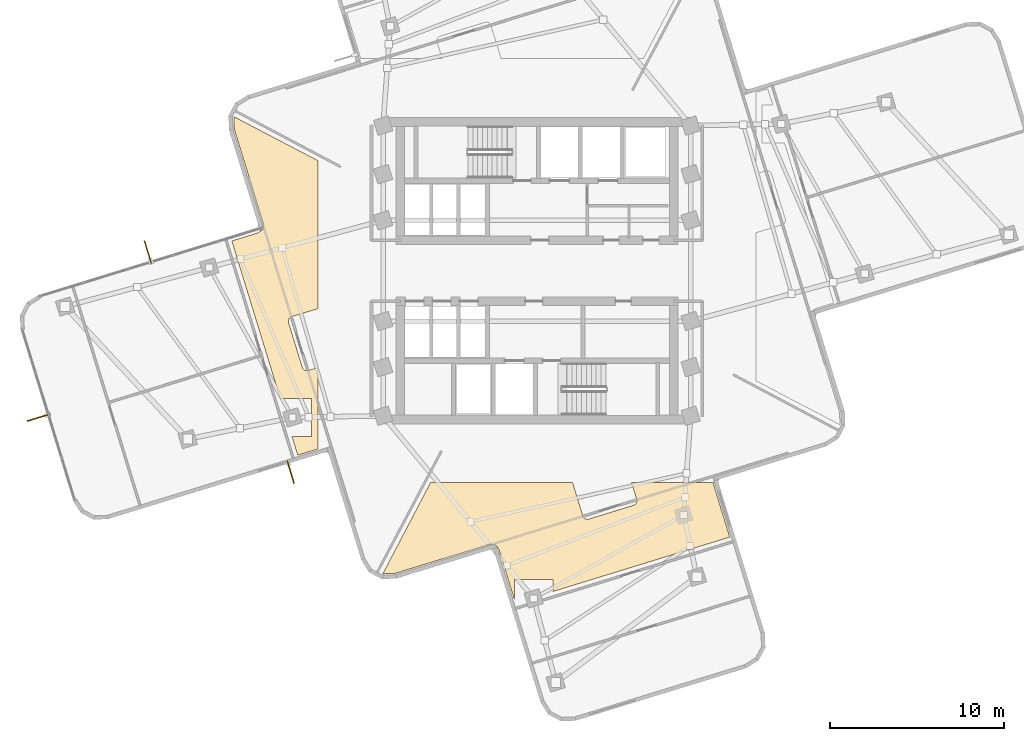
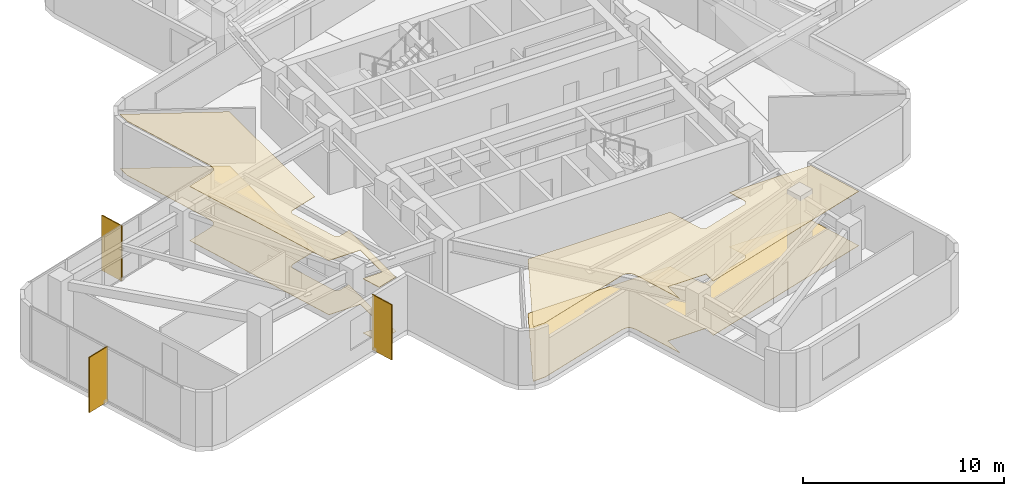
# One storey, part 9 of 10: 4 coverings, 3 shading devices.
"""IFC4 building model written with IfcOpenShell, lengths in metres."""

from ifc_helpers import new_model, si_unit, direction, frame, origin, origin_2d, place, context, subcontext, project, spatial, polyline, rectangle, outline, extrude, material, layer, layer_set, type_object, element, save


model = new_model("IFC4")

# Units and contexts
model_context = context("Model", 3, precision=1e-05, world=origin(), true_north=direction((0.0, 1.0)))
body_context = subcontext(model_context, "Body", "Model", "MODEL_VIEW")
ifc_project = project(units=[si_unit("LENGTHUNIT", "METRE"), si_unit("AREAUNIT", "SQUARE_METRE"), si_unit("VOLUMEUNIT", "CUBIC_METRE"), si_unit("PLANEANGLEUNIT", "RADIAN"), si_unit("MASSUNIT", "GRAM", prefix="KILO")], contexts=[model_context])

# Site, building, storey
site_placement = place(None, origin())
site = spatial("IfcSite", under=ifc_project, at=site_placement, CompositionType="ELEMENT")
building_placement = place(site_placement, origin())
building = spatial("IfcBuilding", under=site, at=building_placement, Name="Solmarez Civic Tower", CompositionType="ELEMENT")
storey_placement = place(building_placement, frame((0.0, 0.0, 148.679931640625)))
storey = spatial("IfcBuildingStorey", under=building, at=storey_placement, Name="L39", CompositionType="ELEMENT", Elevation=148.679931640625)

# Coverings
ifc_material_1 = material(Name="Perforated Mineral-Fibre Acoustic Ceiling")
ifc_layer_1 = layer(ifc_material_1, 0.02490234375)
ifc_layer_set_1 = layer_set([ifc_layer_1], Name="Perforated Mineral-Fibre Acoustic Ceiling")
covering_type_1 = type_object("IfcCoveringType", Name="COV-CEIL-ACOUSTIC", PredefinedType="CEILING", material=ifc_layer_set_1)
covering_1_placement = place(storey_placement, frame((0.0, 0.0, 3.295166015625)))
element("IfcCovering", 1, at=covering_1_placement, inside=storey, type_object=covering_type_1, Name="L39 Suspended Acoustic Ceiling 1", PredefinedType="CEILING", context=body_context, shape_type="SweptSolid", body=[
    extrude(outline(polyline([(-2.304931640625, -15.860107421875), (-2.29296875, -15.875), (-2.281982421875, -15.89404296875), (-2.19189453125, -16.034912109375), (-2.180908203125, -16.054931640625), (-2.177978515625, -16.06103515625), (-2.172119140625, -16.073974609375), (-2.1650390625, -16.090087890625), (-2.158935546875, -16.10693359375), (-1.282958984375, -18.9560546875), (-1.282958984375, -17.760009765625), (0.9169921875, -17.760009765625), (0.9169921875, -18.467041015625), (11.10009765625, -15.333984375), (10.1708984375, -12.31494140625), (10.1689453125, -12.31005859375), (10.1669921875, -12.302978515625), (10.160888671875, -12.27392578125), (10.159912109375, -12.26708984375), (10.158935546875, -12.260009765625), (10.156982421875, -12.237060546875), (10.156005859375, -12.199951171875), (5.447998046875, -12.199951171875), (5.743896484375, -13.162109375), (5.75, -13.18408203125), (5.7509765625, -13.18896484375), (5.751953125, -13.194091796875), (5.7548828125, -13.215087890625), (5.756103515625, -13.237060546875), (5.756103515625, -13.2470703125), (5.7548828125, -13.27099609375), (5.7509765625, -13.294921875), (5.7490234375, -13.303955078125), (5.742919921875, -13.324951171875), (5.735107421875, -13.344970703125), (5.73095703125, -13.35400390625), (5.721923828125, -13.3720703125), (5.717041015625, -13.381103515625), (5.705078125, -13.39990234375), (5.69091796875, -13.4189453125), (5.675048828125, -13.43505859375), (5.6640625, -13.444091796875), (5.656982421875, -13.449951171875), (5.64208984375, -13.4619140625), (5.62109375, -13.47607421875), (5.59912109375, -13.487060546875), (5.590087890625, -13.490966796875), (5.56591796875, -13.5), (2.986083984375, -14.2939453125), (2.964111328125, -14.300048828125), (2.958984375, -14.301025390625), (2.93798828125, -14.303955078125), (2.927978515625, -14.304931640625), (2.906005859375, -14.305908203125), (2.90087890625, -14.305908203125), (2.876953125, -14.304931640625), (2.85302734375, -14.301025390625), (2.843994140625, -14.299072265625), (2.822998046875, -14.29296875), (2.802978515625, -14.284912109375), (2.7958984375, -14.281982421875), (2.77587890625, -14.27294921875), (2.757080078125, -14.261962890625), (2.739013671875, -14.248046875), (2.722900390625, -14.23388671875), (2.718994140625, -14.23095703125), (2.705078125, -14.217041015625), (2.69189453125, -14.200927734375), (2.679931640625, -14.18505859375), (2.675048828125, -14.177001953125), (2.660888671875, -14.14892578125), (2.656982421875, -14.139892578125), (2.64794921875, -14.115966796875), (2.05810546875, -12.199951171875), (-6.1259765625, -12.199951171875), (-8.864013671875, -17.43896484375), (-8.85693359375, -17.44189453125), (-8.14990234375, -17.416015625), (-2.798095703125, -15.77001953125), (-2.79296875, -15.76806640625), (-2.785888671875, -15.76611328125), (-2.757080078125, -15.760009765625), (-2.75, -15.759033203125), (-2.742919921875, -15.758056640625), (-2.719970703125, -15.756103515625), (-2.548095703125, -15.75), (-2.5400390625, -15.75), (-2.532958984375, -15.75), (-2.506103515625, -15.751953125), (-2.498046875, -15.7529296875), (-2.48095703125, -15.7548828125), (-2.465087890625, -15.759033203125), (-2.45703125, -15.761962890625), (-2.43994140625, -15.76708984375), (-2.423095703125, -15.77294921875), (-2.416015625, -15.77587890625), (-2.405029296875, -15.781005859375), (-2.39892578125, -15.783935546875), (-2.387939453125, -15.7900390625), (-2.381103515625, -15.7939453125), (-2.364990234375, -15.803955078125), (-2.34912109375, -15.81591796875), (-2.343017578125, -15.821044921875), (-2.327880859375, -15.833984375), (-2.31494140625, -15.84912109375), (-2.304931640625, -15.860107421875)])), origin(), (0.0, 0.0, 1.0), 0.02490234375),
])
covering_2_placement = place(storey_placement, frame((0.0, 0.0, 3.295166015625)))
element("IfcCovering", 2, at=covering_2_placement, inside=storey, type_object=covering_type_1, Name="L39 Suspended Acoustic Ceiling 3", PredefinedType="CEILING", context=body_context, shape_type="SweptSolid", body=[
    extrude(outline(polyline([(-15.860107421875, 2.304931640625), (-15.875, 2.29296875), (-15.89404296875, 2.281982421875), (-16.034912109375, 2.19189453125), (-16.054931640625, 2.180908203125), (-16.06103515625, 2.177978515625), (-16.073974609375, 2.172119140625), (-16.090087890625, 2.1650390625), (-16.10693359375, 2.158935546875), (-17.56005859375, 1.7119140625), (-14.77294921875, -7.344970703125), (-12.964111328125, -7.344970703125), (-12.964111328125, -9.544921875), (-14.095947265625, -9.544921875), (-13.76611328125, -10.616943359375), (-12.60009765625, -10.258056640625), (-12.60009765625, -5.571044921875), (-13.162109375, -5.743896484375), (-13.18408203125, -5.75), (-13.18896484375, -5.7509765625), (-13.194091796875, -5.751953125), (-13.215087890625, -5.7548828125), (-13.237060546875, -5.756103515625), (-13.2470703125, -5.756103515625), (-13.27099609375, -5.7548828125), (-13.294921875, -5.7509765625), (-13.303955078125, -5.7490234375), (-13.324951171875, -5.742919921875), (-13.344970703125, -5.735107421875), (-13.35400390625, -5.73095703125), (-13.3720703125, -5.721923828125), (-13.381103515625, -5.717041015625), (-13.39990234375, -5.705078125), (-13.4189453125, -5.69091796875), (-13.43505859375, -5.675048828125), (-13.444091796875, -5.6640625), (-13.449951171875, -5.656982421875), (-13.4619140625, -5.64208984375), (-13.47607421875, -5.62109375), (-13.487060546875, -5.59912109375), (-13.490966796875, -5.590087890625), (-13.5, -5.56591796875), (-14.2939453125, -2.986083984375), (-14.300048828125, -2.964111328125), (-14.301025390625, -2.958984375), (-14.303955078125, -2.93798828125), (-14.304931640625, -2.927978515625), (-14.305908203125, -2.906005859375), (-14.305908203125, -2.90087890625), (-14.304931640625, -2.876953125), (-14.301025390625, -2.85302734375), (-14.299072265625, -2.843994140625), (-14.29296875, -2.822998046875), (-14.284912109375, -2.802978515625), (-14.281982421875, -2.7958984375), (-14.27294921875, -2.77587890625), (-14.261962890625, -2.757080078125), (-14.248046875, -2.739013671875), (-14.23388671875, -2.722900390625), (-14.23095703125, -2.718994140625), (-14.217041015625, -2.705078125), (-14.200927734375, -2.69189453125), (-14.18505859375, -2.679931640625), (-14.177001953125, -2.675048828125), (-14.14892578125, -2.660888671875), (-14.139892578125, -2.656982421875), (-14.115966796875, -2.64794921875), (-12.60009765625, -2.181884765625), (-12.60009765625, 6.3349609375), (-17.43896484375, 8.864013671875), (-17.44189453125, 8.85693359375), (-17.416015625, 8.14990234375), (-15.77001953125, 2.798095703125), (-15.76806640625, 2.79296875), (-15.76611328125, 2.785888671875), (-15.760009765625, 2.757080078125), (-15.759033203125, 2.75), (-15.758056640625, 2.742919921875), (-15.756103515625, 2.719970703125), (-15.75, 2.548095703125), (-15.75, 2.5400390625), (-15.75, 2.532958984375), (-15.751953125, 2.506103515625), (-15.7529296875, 2.498046875), (-15.7548828125, 2.48095703125), (-15.759033203125, 2.465087890625), (-15.761962890625, 2.45703125), (-15.76708984375, 2.43994140625), (-15.77294921875, 2.423095703125), (-15.77587890625, 2.416015625), (-15.781005859375, 2.405029296875), (-15.783935546875, 2.39892578125), (-15.7900390625, 2.387939453125), (-15.7939453125, 2.381103515625), (-15.803955078125, 2.364990234375), (-15.81591796875, 2.34912109375), (-15.821044921875, 2.343017578125), (-15.833984375, 2.327880859375), (-15.84912109375, 2.31494140625), (-15.860107421875, 2.304931640625)])), origin(), (0.0, 0.0, 1.0), 0.02490234375),
])
ifc_material_2 = material(Name="Polished Tropical Stone Terrazzo Flooring", Category="masonry")
ifc_layer_2 = layer(ifc_material_2, 0.02001953125)
ifc_layer_set_2 = layer_set([ifc_layer_2], Name="Polished Tropical Stone Terrazzo Flooring")
covering_type_2 = type_object("IfcCoveringType", Name="COV-FLOOR-TERRAZZO", PredefinedType="FLOORING", material=ifc_layer_set_2)
covering_3_placement = place(storey_placement, origin())
element("IfcCovering", 3, at=covering_3_placement, inside=storey, type_object=covering_type_2, Name="L39 Terrazzo Floor Finish 1", PredefinedType="FLOORING", context=body_context, shape_type="SweptSolid", body=[
    extrude(outline(polyline([(-2.304931640625, -15.860107421875), (-2.29296875, -15.875), (-2.281982421875, -15.89404296875), (-2.19189453125, -16.034912109375), (-2.180908203125, -16.054931640625), (-2.177978515625, -16.06103515625), (-2.172119140625, -16.073974609375), (-2.1650390625, -16.090087890625), (-2.158935546875, -16.10693359375), (-1.282958984375, -18.9560546875), (-1.282958984375, -17.760009765625), (0.9169921875, -17.760009765625), (0.9169921875, -18.467041015625), (11.10009765625, -15.333984375), (10.1708984375, -12.31494140625), (10.1689453125, -12.31005859375), (10.1669921875, -12.302978515625), (10.160888671875, -12.27392578125), (10.159912109375, -12.26708984375), (10.158935546875, -12.260009765625), (10.156982421875, -12.237060546875), (10.156005859375, -12.199951171875), (5.447998046875, -12.199951171875), (5.743896484375, -13.162109375), (5.75, -13.18408203125), (5.7509765625, -13.18896484375), (5.751953125, -13.194091796875), (5.7548828125, -13.215087890625), (5.756103515625, -13.237060546875), (5.756103515625, -13.2470703125), (5.7548828125, -13.27099609375), (5.7509765625, -13.294921875), (5.7490234375, -13.303955078125), (5.742919921875, -13.324951171875), (5.735107421875, -13.344970703125), (5.73095703125, -13.35400390625), (5.721923828125, -13.3720703125), (5.717041015625, -13.381103515625), (5.705078125, -13.39990234375), (5.69091796875, -13.4189453125), (5.675048828125, -13.43505859375), (5.6640625, -13.444091796875), (5.656982421875, -13.449951171875), (5.64208984375, -13.4619140625), (5.62109375, -13.47607421875), (5.59912109375, -13.487060546875), (5.590087890625, -13.490966796875), (5.56591796875, -13.5), (2.986083984375, -14.2939453125), (2.964111328125, -14.300048828125), (2.958984375, -14.301025390625), (2.93798828125, -14.303955078125), (2.927978515625, -14.304931640625), (2.906005859375, -14.305908203125), (2.90087890625, -14.305908203125), (2.876953125, -14.304931640625), (2.85302734375, -14.301025390625), (2.843994140625, -14.299072265625), (2.822998046875, -14.29296875), (2.802978515625, -14.284912109375), (2.7958984375, -14.281982421875), (2.77587890625, -14.27294921875), (2.757080078125, -14.261962890625), (2.739013671875, -14.248046875), (2.722900390625, -14.23388671875), (2.718994140625, -14.23095703125), (2.705078125, -14.217041015625), (2.69189453125, -14.200927734375), (2.679931640625, -14.18505859375), (2.675048828125, -14.177001953125), (2.660888671875, -14.14892578125), (2.656982421875, -14.139892578125), (2.64794921875, -14.115966796875), (2.05810546875, -12.199951171875), (-6.1259765625, -12.199951171875), (-8.864013671875, -17.43896484375), (-8.85693359375, -17.44189453125), (-8.14990234375, -17.416015625), (-2.798095703125, -15.77001953125), (-2.79296875, -15.76806640625), (-2.785888671875, -15.76611328125), (-2.757080078125, -15.760009765625), (-2.75, -15.759033203125), (-2.742919921875, -15.758056640625), (-2.719970703125, -15.756103515625), (-2.548095703125, -15.75), (-2.5400390625, -15.75), (-2.532958984375, -15.75), (-2.506103515625, -15.751953125), (-2.498046875, -15.7529296875), (-2.48095703125, -15.7548828125), (-2.465087890625, -15.759033203125), (-2.45703125, -15.761962890625), (-2.43994140625, -15.76708984375), (-2.423095703125, -15.77294921875), (-2.416015625, -15.77587890625), (-2.405029296875, -15.781005859375), (-2.39892578125, -15.783935546875), (-2.387939453125, -15.7900390625), (-2.381103515625, -15.7939453125), (-2.364990234375, -15.803955078125), (-2.34912109375, -15.81591796875), (-2.343017578125, -15.821044921875), (-2.327880859375, -15.833984375), (-2.31494140625, -15.84912109375), (-2.304931640625, -15.860107421875)])), origin(), (0.0, 0.0, 1.0), 0.02001953125),
])
covering_4_placement = place(storey_placement, origin())
element("IfcCovering", 4, at=covering_4_placement, inside=storey, type_object=covering_type_2, Name="L39 Terrazzo Floor Finish 3", PredefinedType="FLOORING", context=body_context, shape_type="SweptSolid", body=[
    extrude(outline(polyline([(-15.860107421875, 2.304931640625), (-15.875, 2.29296875), (-15.89404296875, 2.281982421875), (-16.034912109375, 2.19189453125), (-16.054931640625, 2.180908203125), (-16.06103515625, 2.177978515625), (-16.073974609375, 2.172119140625), (-16.090087890625, 2.1650390625), (-16.10693359375, 2.158935546875), (-17.56005859375, 1.7119140625), (-14.77294921875, -7.344970703125), (-12.964111328125, -7.344970703125), (-12.964111328125, -9.544921875), (-14.095947265625, -9.544921875), (-13.76611328125, -10.616943359375), (-12.60009765625, -10.258056640625), (-12.60009765625, -5.571044921875), (-13.162109375, -5.743896484375), (-13.18408203125, -5.75), (-13.18896484375, -5.7509765625), (-13.194091796875, -5.751953125), (-13.215087890625, -5.7548828125), (-13.237060546875, -5.756103515625), (-13.2470703125, -5.756103515625), (-13.27099609375, -5.7548828125), (-13.294921875, -5.7509765625), (-13.303955078125, -5.7490234375), (-13.324951171875, -5.742919921875), (-13.344970703125, -5.735107421875), (-13.35400390625, -5.73095703125), (-13.3720703125, -5.721923828125), (-13.381103515625, -5.717041015625), (-13.39990234375, -5.705078125), (-13.4189453125, -5.69091796875), (-13.43505859375, -5.675048828125), (-13.444091796875, -5.6640625), (-13.449951171875, -5.656982421875), (-13.4619140625, -5.64208984375), (-13.47607421875, -5.62109375), (-13.487060546875, -5.59912109375), (-13.490966796875, -5.590087890625), (-13.5, -5.56591796875), (-14.2939453125, -2.986083984375), (-14.300048828125, -2.964111328125), (-14.301025390625, -2.958984375), (-14.303955078125, -2.93798828125), (-14.304931640625, -2.927978515625), (-14.305908203125, -2.906005859375), (-14.305908203125, -2.90087890625), (-14.304931640625, -2.876953125), (-14.301025390625, -2.85302734375), (-14.299072265625, -2.843994140625), (-14.29296875, -2.822998046875), (-14.284912109375, -2.802978515625), (-14.281982421875, -2.7958984375), (-14.27294921875, -2.77587890625), (-14.261962890625, -2.757080078125), (-14.248046875, -2.739013671875), (-14.23388671875, -2.722900390625), (-14.23095703125, -2.718994140625), (-14.217041015625, -2.705078125), (-14.200927734375, -2.69189453125), (-14.18505859375, -2.679931640625), (-14.177001953125, -2.675048828125), (-14.14892578125, -2.660888671875), (-14.139892578125, -2.656982421875), (-14.115966796875, -2.64794921875), (-12.60009765625, -2.181884765625), (-12.60009765625, 6.3349609375), (-17.43896484375, 8.864013671875), (-17.44189453125, 8.85693359375), (-17.416015625, 8.14990234375), (-15.77001953125, 2.798095703125), (-15.76806640625, 2.79296875), (-15.76611328125, 2.785888671875), (-15.760009765625, 2.757080078125), (-15.759033203125, 2.75), (-15.758056640625, 2.742919921875), (-15.756103515625, 2.719970703125), (-15.75, 2.548095703125), (-15.75, 2.5400390625), (-15.75, 2.532958984375), (-15.751953125, 2.506103515625), (-15.7529296875, 2.498046875), (-15.7548828125, 2.48095703125), (-15.759033203125, 2.465087890625), (-15.761962890625, 2.45703125), (-15.76708984375, 2.43994140625), (-15.77294921875, 2.423095703125), (-15.77587890625, 2.416015625), (-15.781005859375, 2.405029296875), (-15.783935546875, 2.39892578125), (-15.7900390625, 2.387939453125), (-15.7939453125, 2.381103515625), (-15.803955078125, 2.364990234375), (-15.81591796875, 2.34912109375), (-15.821044921875, 2.343017578125), (-15.833984375, 2.327880859375), (-15.84912109375, 2.31494140625), (-15.860107421875, 2.304931640625)])), origin(), (0.0, 0.0, 1.0), 0.02001953125),
])

# Shading devices
ifc_material_3 = material(Name="Bronze Anodised Aluminium EN AW-6063 T6", Category="aluminium")
ifc_layer_3 = layer(ifc_material_3, 0.06005859375)
ifc_layer_set_3 = layer_set([ifc_layer_3], Name="Bronze Anodised Aluminium EN AW-6063 T6")
shading_device_type = type_object("IfcShadingDeviceType", Name="FIN-BRONZE-Z34", PredefinedType="USERDEFINED", material=ifc_layer_set_3)
for number, where, z_axis, x_axis, name in (
    (5, (-14.1689453125, -11.593994140625, -0.0400390625), (0.0, 0.0, 1.0), (0.289232291131, -0.957258941858, 0.0), "L39 Anodised Bronze Solar Fin FIN-L39-01"),
    (6, (-28.695068359375, -8.4609375, -0.0400390625), (0.0, 0.0, 1.0), (-0.957258941858, -0.289232291131, 0.0), "L39 Anodised Bronze Solar Fin FIN-L39-02"),
    (7, (-22.388916015625, 1.080078125, -0.0400390625), (0.0, 0.0, 1.0), (-0.289232291131, 0.957258941858, 0.0), "L39 Anodised Bronze Solar Fin FIN-L39-03"),
):
    element("IfcShadingDevice", number, at=place(storey_placement, frame(where, z_axis=z_axis, x_axis=x_axis)), inside=storey, type_object=shading_device_type, Name=name, ObjectType="FIN", PredefinedType="USERDEFINED", context=body_context, shape_type="SweptSolid", body=[
        extrude(rectangle(XDim=1.35009765625, YDim=0.06005859375, at=origin_2d()), origin(), (0.0, 0.0, 1.0), 3.360107421875),
    ])

save(model, "model.ifc")
